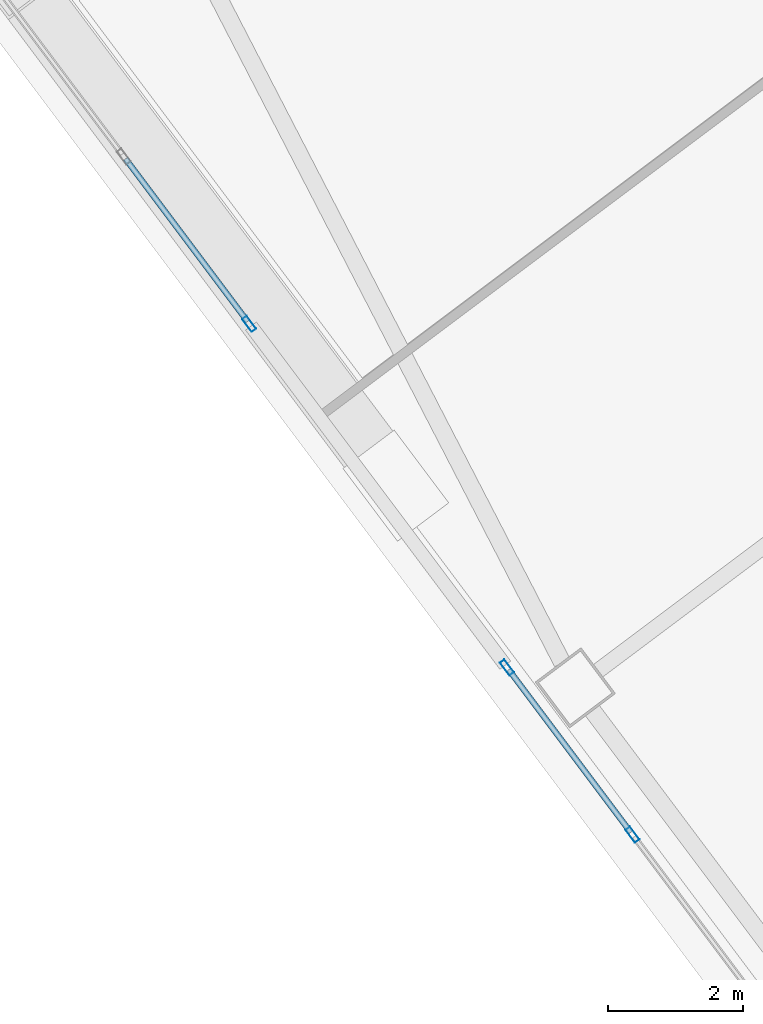
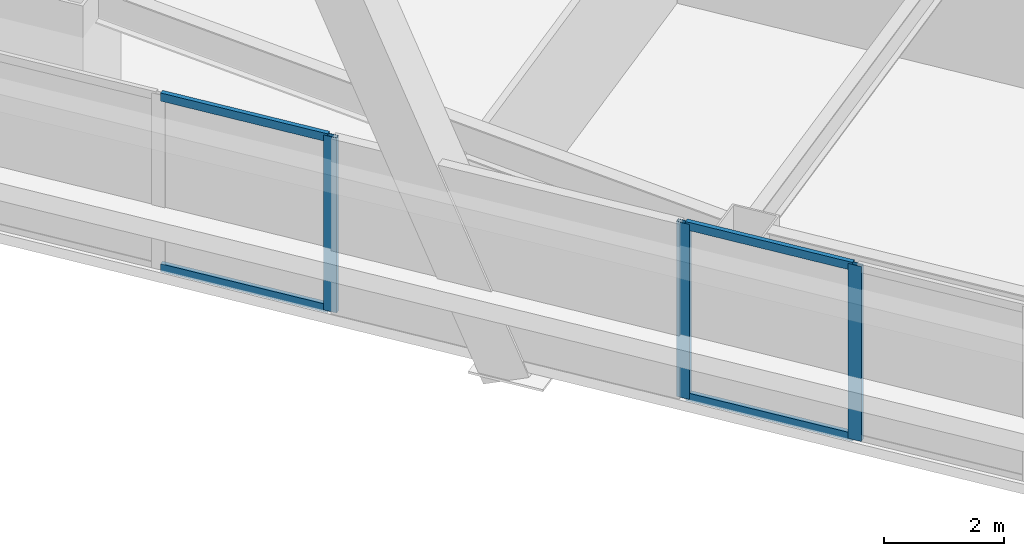
# One storey, part 36 of 75: 7 members, 2 elements without a shape of their own.
"""IFC4 building model written with IfcOpenShell, lengths in metres."""

import ifcopenshell
import ifcopenshell.guid

model = None  # the IFC model being written
_history = None  # IfcOwnerHistory: only IFC2X3 demands one
_inside = {}  # id of a spatial element -> (the spatial element, [elements in it])
_under = {}  # id of a project, library or spatial element -> (it, [spatial elements below it])
_declared = {}  # id of a project -> (the project, [libraries it declares])
_typed = {}  # id of a type object -> (the type object, [elements of that type])
_made_of = {}  # id of a material, layer set ... -> (it, [elements and type objects made of it])


def new_model(schema):
    """Start an empty IFC model of exactly this schema.

    Asked for "IFC4X3", IfcOpenShell would pick the latest addendum, in which some entities
    have other attributes; the version numbers below select the first issue.
    IFC2X3 requires an IfcOwnerHistory on every rooted entity: one is made here for all.
    """
    global model, _history
    if schema == "IFC4X3":
        model = ifcopenshell.file(schema_version=(4, 3, 0, 0))
    else:
        model = ifcopenshell.file(schema=schema)
    _inside.clear()
    _under.clear()
    _declared.clear()
    _typed.clear()
    _made_of.clear()
    _history = None
    if model.schema == "IFC2X3":
        org = make("IfcOrganization", Name="unknown")
        user = make(
            "IfcPersonAndOrganization",
            ThePerson=make("IfcPerson", FamilyName="unknown"),
            TheOrganization=org,
        )
        app = make(
            "IfcApplication",
            ApplicationDeveloper=org,
            Version="unknown",
            ApplicationFullName="unknown",
            ApplicationIdentifier="unknown",
        )
        _history = make(
            "IfcOwnerHistory",
            OwningUser=user,
            OwningApplication=app,
            ChangeAction="ADDED",
            CreationDate=0,
        )
    return model


def make(cls, **values):
    """One entity of the class cls with the attributes given. An attribute that is None is left unset."""
    return model.create_entity(
        cls, **{name: value for name, value in values.items() if value is not None}
    )


def rooted(cls, **values):
    """An entity with a GlobalId (a new one), such as an element, a storey or a relation."""
    return make(cls, GlobalId=ifcopenshell.guid.new(), OwnerHistory=_history, **values)


def si_unit(unit_type, name, prefix=None):
    """IfcSIUnit, for example si_unit("LENGTHUNIT", "METRE", prefix="MILLI")."""
    return make("IfcSIUnit", UnitType=unit_type, Prefix=prefix, Name=name)


def assignment(units):
    """IfcUnitAssignment: the units of a project."""
    return None if units is None else make("IfcUnitAssignment", Units=units)


def point(xyz):
    """IfcCartesianPoint."""
    return None if xyz is None else make("IfcCartesianPoint", Coordinates=xyz)


def direction(xyz):
    """IfcDirection."""
    return None if xyz is None else make("IfcDirection", DirectionRatios=xyz)


def frame(location, z_axis=None, x_axis=None):
    """IfcAxis2Placement3D, a coordinate frame: its origin and axes. An axis left out is left unset."""
    return make(
        "IfcAxis2Placement3D",
        Location=point(location),
        Axis=direction(z_axis),
        RefDirection=direction(x_axis),
    )


def frame_2d(location, x_axis=None):
    """IfcAxis2Placement2D, a coordinate frame in the plane: its origin and x axis."""
    return make(
        "IfcAxis2Placement2D", Location=point(location), RefDirection=direction(x_axis)
    )


def origin():
    """The frame at (0, 0, 0) with its axes left unset."""
    return frame((0.0, 0.0, 0.0))


def origin_2d():
    """The frame at (0, 0) in the plane with its x axis left unset."""
    return frame_2d((0.0, 0.0))


def place(relative_to, where):
    """IfcLocalPlacement: puts the frame where relative to a parent placement (None: the world)."""
    return make(
        "IfcLocalPlacement", PlacementRelTo=relative_to, RelativePlacement=where
    )


def context(
    kind, dimensions, precision=None, world=None, true_north=None, identifier=None
):
    """IfcGeometricRepresentationContext, for example the 3D "Model" context."""
    return make(
        "IfcGeometricRepresentationContext",
        ContextIdentifier=identifier,
        ContextType=kind,
        CoordinateSpaceDimension=dimensions,
        Precision=precision,
        WorldCoordinateSystem=world,
        TrueNorth=true_north,
    )


def subcontext(parent, identifier, kind, view, scale=None):
    """IfcGeometricRepresentationSubContext, for example "Body" below "Model"."""
    return make(
        "IfcGeometricRepresentationSubContext",
        ContextIdentifier=identifier,
        ContextType=kind,
        ParentContext=parent,
        TargetScale=scale,
        TargetView=view,
    )


def project(units=None, contexts=None):
    """IfcProject with its units and contexts."""
    return rooted(
        "IfcProject",
        Name="project",
        RepresentationContexts=contexts,
        UnitsInContext=assignment(units),
    )


def spatial(cls, under=None, at=None, **own):
    """A site, building, storey or space (cls), placed at a placement, below another one or the project."""
    s = rooted(cls, ObjectPlacement=at, **own)
    if under is not None:
        _under.setdefault(under.id(), (under, []))[1].append(s)
    return s


def profile(cls, at=None, kind="AREA", **sizes):
    """A parametric profile (cls). Its sizes go by their IFC names, for example OverallWidth=200.0."""
    return make(cls, ProfileType=kind, Position=at, **sizes)


def hollow_rectangle(**sizes):
    """IfcRectangleHollowProfileDef."""
    return profile("IfcRectangleHollowProfileDef", **sizes)


def extrude(swept, where, along, depth):
    """IfcExtrudedAreaSolid: the profile swept, set in the frame where, extruded along a direction by depth."""
    return make(
        "IfcExtrudedAreaSolid",
        SweptArea=swept,
        Position=where,
        ExtrudedDirection=direction(along),
        Depth=depth,
    )


def shape(context_of_items, identifier, shape_type, items):
    """IfcShapeRepresentation: the items that make up one representation, for example the "Body"."""
    return make(
        "IfcShapeRepresentation",
        ContextOfItems=context_of_items,
        RepresentationIdentifier=identifier,
        RepresentationType=shape_type,
        Items=items,
    )


def material(Name=None, Category=None):
    """IfcMaterial."""
    return make("IfcMaterial", Name=Name, Category=Category)


def material_profile(
    of_material, cross_section, Name=None, Category=None, Priority=None
):
    """IfcMaterialProfile: a cross section and its material."""
    return make(
        "IfcMaterialProfile",
        Name=Name,
        Material=of_material,
        Profile=cross_section,
        Priority=Priority,
        Category=Category,
    )


def profile_set(profiles, Name=None, composite=None):
    """IfcMaterialProfileSet."""
    return make(
        "IfcMaterialProfileSet",
        Name=Name,
        MaterialProfiles=profiles,
        CompositeProfile=composite,
    )


def made_of(thing, what):
    """Note that an element or type object is made of a material, layer set ...; save() writes the relation."""
    if what is not None:
        _made_of.setdefault(what.id(), (what, []))[1].append(thing)
    return thing


def type_object(cls, material=None, **own):
    """A type object (cls), such as IfcWallType, which elements share."""
    return made_of(rooted(cls, **own), material)


def element(
    cls,
    number,
    at=None,
    inside=None,
    cuts=None,
    type_object=None,
    material=None,
    context=None,
    identifier="Body",
    shape_type=None,
    held_by="IfcProductDefinitionShape",
    body=None,
    shapes=None,
    **own,
):
    """One element of the class cls, such as IfcWall. Its Tag is "e" and its number.

    at: its placement. inside: the storey or other place that contains it. cuts: it is an
    opening in that element (IfcRelVoidsElement). A single representation is given by context,
    identifier, shape_type and body (its items); several are given by shapes. held_by: the class
    of the entity that holds the representations. save() writes the other relations.
    """
    e = rooted(cls, Tag="e%d" % number, ObjectPlacement=at, **own)
    if body is not None:
        shapes = [shape(context, identifier, shape_type, body)]
    if shapes is not None:
        e.Representation = make(held_by, Representations=shapes)
    if inside is not None:
        _inside.setdefault(inside.id(), (inside, []))[1].append(e)
    if cuts is not None:
        rooted(
            "IfcRelVoidsElement", RelatingBuildingElement=cuts, RelatedOpeningElement=e
        )
    if type_object is not None:
        _typed.setdefault(type_object.id(), (type_object, []))[1].append(e)
    return made_of(e, material)


def aggregate(whole, parts):
    """IfcRelAggregates: a whole, such as a stair, and the parts it consists of."""
    return rooted("IfcRelAggregates", RelatingObject=whole, RelatedObjects=parts)


def save(model, path):
    """Write the relations noted so far, then the file.

    IfcRelAggregates (storeys below a building ...), IfcRelContainedInSpatialStructure (elements
    in a storey), IfcRelDefinesByType, IfcRelAssociatesMaterial and IfcRelDeclares: one each for
    every whole, place, type object, material and project.
    """
    for whole, parts in _under.values():
        aggregate(whole, parts)
    for where, things in _inside.values():
        rooted(
            "IfcRelContainedInSpatialStructure",
            RelatedElements=things,
            RelatingStructure=where,
        )
    for kind, things in _typed.values():
        rooted("IfcRelDefinesByType", RelatedObjects=things, RelatingType=kind)
    for what, things in _made_of.values():
        rooted("IfcRelAssociatesMaterial", RelatedObjects=things, RelatingMaterial=what)
    for by, libraries in _declared.values():
        rooted("IfcRelDeclares", RelatingContext=by, RelatedDefinitions=libraries)
    model.write(path)


model = new_model("IFC4")

# Units and contexts
model_context = context("Model", 3, precision=1e-05, world=origin(), true_north=direction((0.0, 1.0)))
body_context = subcontext(model_context, "Body", "Model", "MODEL_VIEW")
ifc_project = project(units=[si_unit("LENGTHUNIT", "METRE"), si_unit("AREAUNIT", "SQUARE_METRE"), si_unit("VOLUMEUNIT", "CUBIC_METRE"), si_unit("PLANEANGLEUNIT", "RADIAN"), si_unit("MASSUNIT", "GRAM", prefix="KILO")], contexts=[model_context])

# Site, building, storey
site_placement = place(None, origin())
site = spatial("IfcSite", under=ifc_project, at=site_placement, CompositionType="ELEMENT")
building_placement = place(site_placement, origin())
building = spatial("IfcBuilding", under=site, at=building_placement, Name="Tashvorn Skyway Center", CompositionType="ELEMENT")
storey_placement = place(building_placement, frame((0.0, 0.0, 45.89990234375)))
storey = spatial("IfcBuildingStorey", under=building, at=storey_placement, Name="L11", CompositionType="ELEMENT", Elevation=45.89990234375)

# Curtain wall, members
ifc_material = material(Name="Thermally broken bronze-anodized aluminium 6063-T6", Category="aluminium")
curtain_wall_type = type_object("IfcCurtainWallType", Name="CW-CW-Z1", PredefinedType="NOTDEFINED", material=ifc_material)
curtain_wall_1_placement = place(storey_placement, origin())
curtain_wall_1 = element("IfcCurtainWall", 1, at=curtain_wall_1_placement, inside=storey, type_object=curtain_wall_type, Name="Tower 2 L11 West Unitised Curtain Wall Glazing Group 2", PredefinedType="NOTDEFINED")
ifc_material_profile_1 = material_profile(ifc_material, hollow_rectangle(XDim=0.0849609375, YDim=0.239990234375, WallThickness=0.0048828125, at=origin_2d()), Name="ALU-MULL-85x240")
ifc_profile_set_1 = profile_set([ifc_material_profile_1], Name="Thermally broken bronze-anodized aluminium 6063-T6")
member_type_1 = type_object("IfcMemberType", Name="CWM-CW-Z1", PredefinedType="MULLION", material=ifc_profile_set_1)
member_1_placement = place(storey_placement, frame((94.76806640625, 21.50927734375, 0.0), z_axis=(0.0, 0.0, 1.0), x_axis=(-0.800001906763, -0.599997457641, 0.0)))
member_1 = element("IfcMember", 2, at=member_1_placement, type_object=member_type_1, Name="CW-Z1 mullion 4", PredefinedType="MULLION", context=body_context, shape_type="SweptSolid", body=[
    extrude(hollow_rectangle(XDim=0.0849609375, YDim=0.239990234375, WallThickness=0.0048828125, at=origin_2d()), origin(), (0.0, 0.0, 1.0), 3.550048828125),
])
member_2_placement = place(storey_placement, frame((92.905517578125, 23.99267578125, 0.0), z_axis=(0.0, 0.0, 1.0), x_axis=(-0.800001906763, -0.599997457641, 0.0)))
member_2 = element("IfcMember", 3, at=member_2_placement, type_object=member_type_1, Name="CW-Z1 mullion 5", PredefinedType="MULLION", context=body_context, shape_type="SweptSolid", body=[
    extrude(hollow_rectangle(XDim=0.0849609375, YDim=0.239990234375, WallThickness=0.0048828125, at=origin_2d()), origin(), (0.0, 0.0, 1.0), 3.550048828125),
])

# Curtain wall, member
curtain_wall_2_placement = place(storey_placement, origin())
curtain_wall_2 = element("IfcCurtainWall", 4, at=curtain_wall_2_placement, inside=storey, type_object=curtain_wall_type, Name="Tower 2 L11 West Unitised Curtain Wall Glazing Group 3", PredefinedType="NOTDEFINED")
member_3_placement = place(storey_placement, frame((89.07861328125, 29.09521484375, 0.0), z_axis=(0.0, 0.0, 1.0), x_axis=(-0.800001906763, -0.599997457641, 0.0)))
member_3 = element("IfcMember", 5, at=member_3_placement, type_object=member_type_1, Name="CW-Z1 mullion 1", PredefinedType="MULLION", context=body_context, shape_type="SweptSolid", body=[
    extrude(hollow_rectangle(XDim=0.0849609375, YDim=0.239990234375, WallThickness=0.0048828125, at=origin_2d()), origin(), (0.0, 0.0, 1.0), 3.550048828125),
])

# Member
ifc_material_profile_2 = material_profile(ifc_material, hollow_rectangle(XDim=0.0849609375, YDim=0.1650390625, WallThickness=0.0048828125, at=origin_2d()), Name="ALU-TRAN-85x165")
ifc_profile_set_2 = profile_set([ifc_material_profile_2], Name="Thermally broken bronze-anodized aluminium 6063-T6")
member_type_2 = type_object("IfcMemberType", Name="CWT-CW-Z1", PredefinedType="USERDEFINED", material=ifc_profile_set_2)
member_4_placement = place(storey_placement, frame((94.742431640625, 21.54345703125, 0.04248046875), z_axis=(-0.600012938206, 0.799990296182, 0.0), x_axis=(-0.799990296182, -0.600012938206, 0.0)))
member_4 = element("IfcMember", 6, at=member_4_placement, type_object=member_type_2, Name="CW-Z1 transom 4.1", ObjectType="TRANSOM", PredefinedType="USERDEFINED", context=body_context, shape_type="SweptSolid", body=[
    extrude(hollow_rectangle(XDim=0.0849609375, YDim=0.1650390625, WallThickness=0.0048828125, at=origin_2d()), origin(), (0.0, 0.0, 1.0), 3.01904296875),
])

member_5_placement = place(storey_placement, frame((94.742431640625, 21.54345703125, 3.507568359375), z_axis=(-0.600012938206, 0.799990296182, 0.0), x_axis=(-0.799990296182, -0.600012938206, 0.0)))
member_5 = element("IfcMember", 7, at=member_5_placement, type_object=member_type_2, Name="CW-Z1 transom 4.2", ObjectType="TRANSOM", PredefinedType="USERDEFINED", context=body_context, shape_type="SweptSolid", body=[
    extrude(hollow_rectangle(XDim=0.0849609375, YDim=0.1650390625, WallThickness=0.0048828125, at=origin_2d()), origin(), (0.0, 0.0, 1.0), 3.01904296875),
])

aggregate(curtain_wall_1, [member_1, member_2, member_4, member_5])

member_6_placement = place(storey_placement, frame((89.052978515625, 29.12939453125, 0.04248046875), z_axis=(-0.600012938206, 0.799990296182, 0.0), x_axis=(-0.799990296182, -0.600012938206, 0.0)))
member_6 = element("IfcMember", 8, at=member_6_placement, type_object=member_type_2, Name="CW-Z1 transom 1.1", ObjectType="TRANSOM", PredefinedType="USERDEFINED", context=body_context, shape_type="SweptSolid", body=[
    extrude(hollow_rectangle(XDim=0.0849609375, YDim=0.1650390625, WallThickness=0.0048828125, at=origin_2d()), origin(), (0.0, 0.0, 1.0), 3.01904296875),
])

member_7_placement = place(storey_placement, frame((89.052978515625, 29.12939453125, 3.507568359375), z_axis=(-0.600012938206, 0.799990296182, 0.0), x_axis=(-0.799990296182, -0.600012938206, 0.0)))
member_7 = element("IfcMember", 9, at=member_7_placement, type_object=member_type_2, Name="CW-Z1 transom 1.2", ObjectType="TRANSOM", PredefinedType="USERDEFINED", context=body_context, shape_type="SweptSolid", body=[
    extrude(hollow_rectangle(XDim=0.0849609375, YDim=0.1650390625, WallThickness=0.0048828125, at=origin_2d()), origin(), (0.0, 0.0, 1.0), 3.01904296875),
])

aggregate(curtain_wall_2, [member_3, member_6, member_7])

save(model, "model.ifc")
